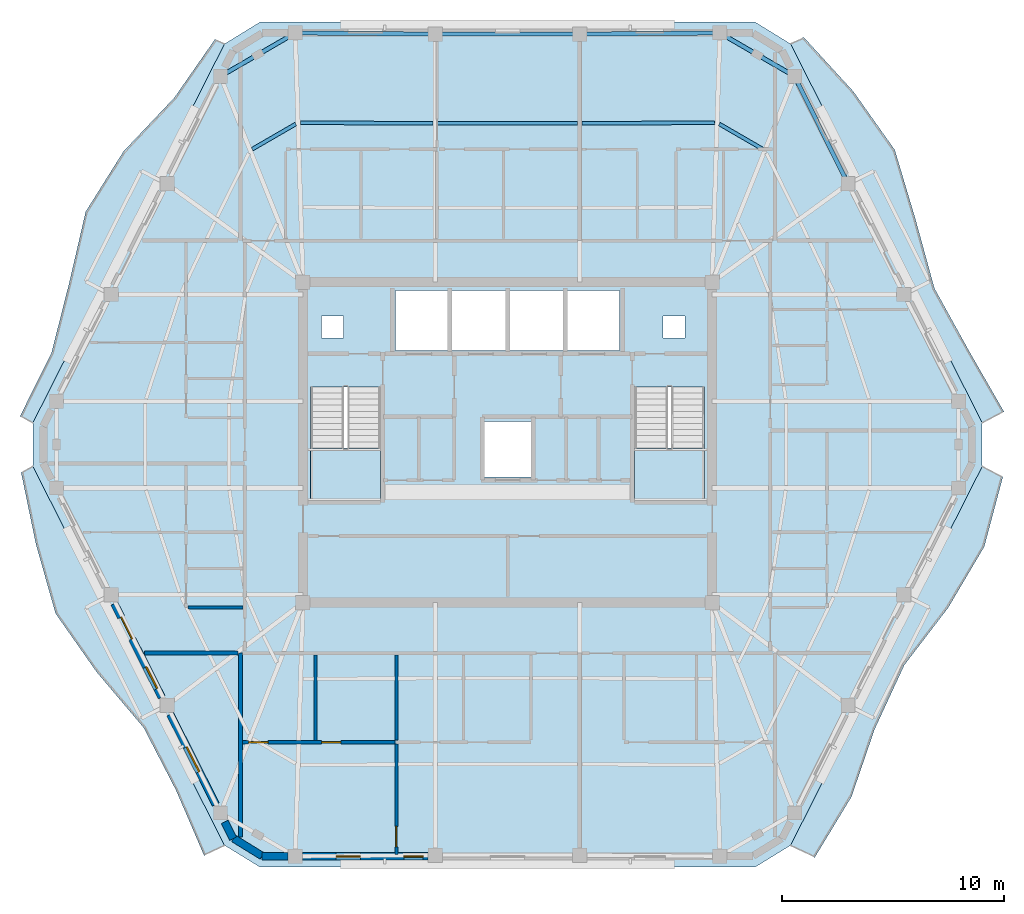
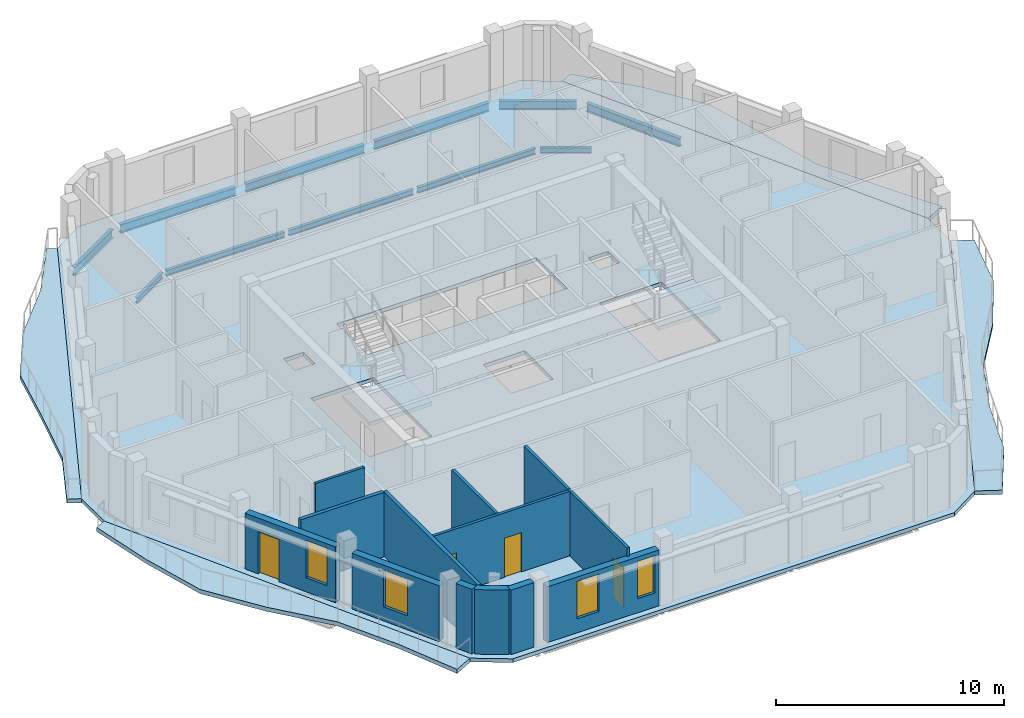
# One storey, part 3 of 11: 13 walls, 11 beams, 7 slabs, 4 doors, 4 windows, 8 openings, 2 elements without a shape of their own.
"""IFC4 building model written with IfcOpenShell, lengths in metres."""

from ifc_helpers import new_model, si_unit, direction, frame, frame_2d, origin, origin_2d, place, context, subcontext, project, spatial, polyline, rectangle, i_section, outline, extrude, material, layer, layer_set, material_profile, profile_set, type_object, element, fill, aggregate, save


model = new_model("IFC4")

# Units and contexts
model_context = context("Model", 3, precision=1e-05, world=origin(), true_north=direction((0.0, 1.0)))
body_context = subcontext(model_context, "Body", "Model", "MODEL_VIEW")
ifc_project = project(units=[si_unit("LENGTHUNIT", "METRE"), si_unit("AREAUNIT", "SQUARE_METRE"), si_unit("VOLUMEUNIT", "CUBIC_METRE"), si_unit("PLANEANGLEUNIT", "RADIAN"), si_unit("MASSUNIT", "GRAM", prefix="KILO")], contexts=[model_context])

# Site, building, storey
site_placement = place(None, origin())
site = spatial("IfcSite", under=ifc_project, at=site_placement, CompositionType="ELEMENT")
building_placement = place(site_placement, origin())
building = spatial("IfcBuilding", under=site, at=building_placement, Name="Cinnabar Lancet Tower", CompositionType="ELEMENT")
storey_placement = place(building_placement, frame((0.0, 0.0, 259.85009765625)))
storey = spatial("IfcBuildingStorey", under=building, at=storey_placement, Name="L69", CompositionType="ELEMENT", Elevation=259.85009765625)

# Beams
ifc_material_1 = material(Name="Structural steel S355", Category="steel")
ifc_material_profile_1 = material_profile(ifc_material_1, i_section(OverallWidth=0.1650390625, OverallDepth=0.303466796875, WebThickness=0.006103515625, FlangeThickness=0.01025390625, FilletRadius=0.0087890625, at=origin_2d()), Name="UKB 305x165x40")
ifc_profile_set_1 = profile_set([ifc_material_profile_1], Name="Structural steel S355")
beam_type_1 = type_object("IfcBeamType", Name="STR-BM-JST-305", PredefinedType="JOIST", material=ifc_profile_set_1)
beam_1_placement = place(storey_placement, frame((43.912109375, 39.1201171875, -0.35205078125), z_axis=(-0.865426285481, 0.501036270542, 0.0), x_axis=(-0.501036270542, -0.865426285481, 0.0)))
element("IfcBeam", 1, at=beam_1_placement, inside=storey, type_object=beam_type_1, Name="L69 Secondary Floor Joist 29", PredefinedType="JOIST", context=body_context, shape_type="SweptSolid", body=[
    extrude(i_section(OverallWidth=0.1650390625, OverallDepth=0.303466796875, WebThickness=0.006103515625, FlangeThickness=0.01025390625, FilletRadius=0.0087890625, at=origin_2d()), origin(), (0.0, 0.0, 1.0), 2.267333984375),
])
beam_2_placement = place(storey_placement, frame((41.741943359375, 40.31494140625, -0.35205078125), z_axis=(-0.999985712428, -0.005345553266, 0.0), x_axis=(0.005345553266, -0.999985712428, 0.0)))
element("IfcBeam", 2, at=beam_2_placement, inside=storey, type_object=beam_type_1, Name="L69 Secondary Floor Joist 30", PredefinedType="JOIST", context=body_context, shape_type="SweptSolid", body=[
    extrude(i_section(OverallWidth=0.1650390625, OverallDepth=0.303466796875, WebThickness=0.006103515625, FlangeThickness=0.01025390625, FilletRadius=0.0087890625, at=origin_2d()), origin(), (0.0, 0.0, 1.0), 5.98291015625),
])
beam_3_placement = place(storey_placement, frame((35.549072265625, 40.281982421875, -0.35205078125), z_axis=(-1.0, 0.0, 0.0), x_axis=(0.0, -1.0, 0.0)))
element("IfcBeam", 3, at=beam_3_placement, inside=storey, type_object=beam_type_1, Name="L69 Secondary Floor Joist 32", PredefinedType="JOIST", context=body_context, shape_type="SweptSolid", body=[
    extrude(i_section(OverallWidth=0.1650390625, OverallDepth=0.303466796875, WebThickness=0.006103515625, FlangeThickness=0.01025390625, FilletRadius=0.0087890625, at=origin_2d()), origin(), (0.0, 0.0, 1.0), 6.298095703125),
])
beam_4_placement = place(storey_placement, frame((29.041015625, 40.282958984375, -0.35205078125), z_axis=(-0.999985712428, 0.005345553266, 0.0), x_axis=(-0.005345553266, -0.999985712428, 0.0)))
element("IfcBeam", 4, at=beam_4_placement, inside=storey, type_object=beam_type_1, Name="L69 Secondary Floor Joist 34", PredefinedType="JOIST", context=body_context, shape_type="SweptSolid", body=[
    extrude(i_section(OverallWidth=0.1650390625, OverallDepth=0.303466796875, WebThickness=0.006103515625, FlangeThickness=0.01025390625, FilletRadius=0.0087890625, at=origin_2d()), origin(), (0.0, 0.0, 1.0), 5.98291015625),
])
beam_5_placement = place(storey_placement, frame((22.85009765625, 40.256103515625, -0.35205078125), z_axis=(-0.865426285481, -0.501036270542, 0.0), x_axis=(0.501036270542, -0.865426285481, 0.0)))
element("IfcBeam", 5, at=beam_5_placement, inside=storey, type_object=beam_type_1, Name="L69 Secondary Floor Joist 36", PredefinedType="JOIST", context=body_context, shape_type="SweptSolid", body=[
    extrude(i_section(OverallWidth=0.1650390625, OverallDepth=0.303466796875, WebThickness=0.006103515625, FlangeThickness=0.01025390625, FilletRadius=0.0087890625, at=origin_2d()), origin(), (0.0, 0.0, 1.0), 2.267333984375),
])
ifc_material_2 = material(Name="Structural steel S355", Category="steel")
ifc_material_profile_2 = material_profile(ifc_material_2, i_section(OverallWidth=0.1904296875, OverallDepth=0.45703125, WebThickness=0.009033203125, FlangeThickness=0.014404296875, FilletRadius=0.01025390625, at=origin_2d()), Name="UKB 457x191x74")
ifc_profile_set_2 = profile_set([ifc_material_profile_2], Name="Structural steel S355")
beam_type_2 = type_object("IfcBeamType", Name="STR-BM-SPN-457", PredefinedType="SPANDREL", material=ifc_profile_set_2)
beam_6_placement = place(storey_placement, frame((47.637939453125, 37.778076171875, -0.42919921875), z_axis=(-0.444372599207, 0.895842058107, 0.0), x_axis=(-0.895842058107, -0.444372599207, 0.0)))
element("IfcBeam", 6, at=beam_6_placement, inside=storey, type_object=beam_type_2, Name="L69 Perimeter Spandrel 11", PredefinedType="SPANDREL", context=body_context, shape_type="SweptSolid", body=[
    extrude(i_section(OverallWidth=0.1904296875, OverallDepth=0.45703125, WebThickness=0.009033203125, FlangeThickness=0.014404296875, FilletRadius=0.01025390625, at=origin_2d()), origin(), (0.0, 0.0, 1.0), 4.91943359375),
])
beam_7_placement = place(storey_placement, frame((45.125, 42.533935546875, -0.42919921875), z_axis=(-0.865199693264, 0.501427453153, 0.0), x_axis=(-0.501427453153, -0.865199693264, 0.0)))
element("IfcBeam", 7, at=beam_7_placement, inside=storey, type_object=beam_type_2, Name="L69 Perimeter Spandrel 12", PredefinedType="SPANDREL", context=body_context, shape_type="SweptSolid", body=[
    extrude(i_section(OverallWidth=0.1904296875, OverallDepth=0.45703125, WebThickness=0.009033203125, FlangeThickness=0.014404296875, FilletRadius=0.01025390625, at=origin_2d()), origin(), (0.0, 0.0, 1.0), 3.39453125),
])
beam_8_placement = place(storey_placement, frame((41.721923828125, 44.35888671875, -0.42919921875), z_axis=(-0.999964782464, -0.008392486634, 0.0), x_axis=(0.008392486634, -0.999964782464, 0.0)))
element("IfcBeam", 8, at=beam_8_placement, inside=storey, type_object=beam_type_2, Name="L69 Perimeter Spandrel 13", PredefinedType="SPANDREL", context=body_context, shape_type="SweptSolid", body=[
    extrude(i_section(OverallWidth=0.1904296875, OverallDepth=0.45703125, WebThickness=0.009033203125, FlangeThickness=0.014404296875, FilletRadius=0.01025390625, at=origin_2d()), origin(), (0.0, 0.0, 1.0), 5.818115234375),
])
beam_9_placement = place(storey_placement, frame((35.404052734375, 44.30810546875, -0.42919921875), z_axis=(-1.0, 0.0, 0.0), x_axis=(0.0, -1.0, 0.0)))
element("IfcBeam", 9, at=beam_9_placement, inside=storey, type_object=beam_type_2, Name="L69 Perimeter Spandrel 14", PredefinedType="SPANDREL", context=body_context, shape_type="SweptSolid", body=[
    extrude(i_section(OverallWidth=0.1904296875, OverallDepth=0.45703125, WebThickness=0.009033203125, FlangeThickness=0.014404296875, FilletRadius=0.01025390625, at=origin_2d()), origin(), (0.0, 0.0, 1.0), 6.008056640625),
])
beam_10_placement = place(storey_placement, frame((28.89599609375, 44.31005859375, -0.42919921875), z_axis=(-0.999964785419, 0.008392134492, 0.0), x_axis=(-0.008392134492, -0.999964785419, 0.0)))
element("IfcBeam", 10, at=beam_10_placement, inside=storey, type_object=beam_type_2, Name="L69 Perimeter Spandrel 15", PredefinedType="SPANDREL", context=body_context, shape_type="SweptSolid", body=[
    extrude(i_section(OverallWidth=0.1904296875, OverallDepth=0.45703125, WebThickness=0.009033203125, FlangeThickness=0.014404296875, FilletRadius=0.01025390625, at=origin_2d()), origin(), (0.0, 0.0, 1.0), 5.818359375),
])
beam_11_placement = place(storey_placement, frame((22.612060546875, 44.236083984375, -0.42919921875), z_axis=(-0.865199693264, -0.501427453153, 0.0), x_axis=(0.501427453153, -0.865199693264, 0.0)))
element("IfcBeam", 11, at=beam_11_placement, inside=storey, type_object=beam_type_2, Name="L69 Perimeter Spandrel 16", PredefinedType="SPANDREL", context=body_context, shape_type="SweptSolid", body=[
    extrude(i_section(OverallWidth=0.1904296875, OverallDepth=0.45703125, WebThickness=0.009033203125, FlangeThickness=0.014404296875, FilletRadius=0.01025390625, at=origin_2d()), origin(), (0.0, 0.0, 1.0), 3.39453125),
])

# Stair, slab
ifc_material_3 = material(Name="Concrete C40/50", Category="concrete")
stair_type = type_object("IfcStairType", Name="ST-CORE", PredefinedType="HALF_TURN_STAIR", material=ifc_material_3)
stair_1_placement = place(storey_placement, origin())
stair_1 = element("IfcStair", 12, at=stair_1_placement, inside=storey, type_object=stair_type, Name="L69 ST-1", PredefinedType="HALF_TURN_STAIR")
ifc_material_4 = material(Name="Concrete C40/50", Category="concrete")
ifc_layer_1 = layer(ifc_material_4, 0.199951171875)
ifc_layer_set_1 = layer_set([ifc_layer_1], Name="Concrete C40/50")
slab_type_1 = type_object("IfcSlabType", Name="LANDING-CORE", PredefinedType="LANDING", material=ifc_layer_set_1)
slab_1_placement = place(storey_placement, frame((0.0, 0.0, 1.625)))
slab_1 = element("IfcSlab", 13, at=slab_1_placement, type_object=slab_type_1, Name="ST-1 landing 1", PredefinedType="LANDING", context=body_context, shape_type="SweptSolid", body=[
    extrude(outline(polyline([(23.52490234375, 25.64990234375), (23.52490234375, 23.25), (26.675048828125, 23.25), (26.675048828125, 25.64990234375), (23.52490234375, 25.64990234375)])), origin(), (0.0, 0.0, 1.0), 0.199951171875),
])
aggregate(stair_1, [slab_1])

stair_2_placement = place(storey_placement, origin())
stair_2 = element("IfcStair", 14, at=stair_2_placement, inside=storey, type_object=stair_type, Name="L69 ST-2", PredefinedType="HALF_TURN_STAIR")
slab_2_placement = place(storey_placement, frame((0.0, 0.0, 1.625)))
slab_2 = element("IfcSlab", 15, at=slab_2_placement, type_object=slab_type_1, Name="ST-2 landing 1", PredefinedType="LANDING", context=body_context, shape_type="SweptSolid", body=[
    extrude(outline(polyline([(38.125, 25.64990234375), (38.125, 23.25), (41.27490234375, 23.25), (41.27490234375, 25.64990234375), (38.125, 25.64990234375)])), origin(), (0.0, 0.0, 1.0), 0.199951171875),
])
aggregate(stair_2, [slab_2])

# Slabs
ifc_material_5 = material(Name="Concrete C40/50", Category="concrete")
ifc_layer_2 = layer(ifc_material_5, 0.199951171875)
ifc_layer_set_2 = layer_set([ifc_layer_2], Name="Concrete C40/50")
slab_type_2 = type_object("IfcSlabType", Name="STR-SLB-FLR-200", PredefinedType="FLOOR", material=ifc_layer_set_2)
slab_3_placement = place(storey_placement, frame((0.0, 0.0, -0.2001953125)))
element("IfcSlab", 16, at=slab_3_placement, inside=storey, type_object=slab_type_2, Name="L69 Structural Floor Slab", PredefinedType="FLOOR", context=body_context, shape_type="SweptSolid", body=[
    extrude(outline(polyline([(19.638916015625, 7.73193359375), (21.236083984375, 6.75), (43.56396484375, 6.75), (45.160888671875, 7.73193359375), (53.802978515625, 24.818115234375), (53.802978515625, 26.781982421875), (45.160888671875, 43.867919921875), (43.56396484375, 44.85009765625), (21.236083984375, 44.85009765625), (19.638916015625, 43.867919921875), (10.9970703125, 26.781982421875), (10.9970703125, 24.818115234375), (19.638916015625, 7.73193359375)]), holes=[polyline([(23.52490234375, 23.25), (26.675048828125, 23.25), (26.675048828125, 28.3994140625), (23.52490234375, 28.3994140625), (23.52490234375, 23.25)]), polyline([(38.125, 23.25), (41.27490234375, 23.25), (41.27490234375, 28.3994140625), (38.125, 28.3994140625), (38.125, 23.25)]), polyline([(27.35009765625, 30.050048828125), (37.449951171875, 30.050048828125), (37.449951171875, 32.75), (27.35009765625, 32.75), (27.35009765625, 30.050048828125)]), polyline([(31.35009765625, 24.35009765625), (33.449951171875, 24.35009765625), (33.449951171875, 26.85009765625), (31.35009765625, 26.85009765625), (31.35009765625, 24.35009765625)]), polyline([(24.0, 30.60009765625), (25.0, 30.60009765625), (25.0, 31.60009765625), (24.0, 31.60009765625), (24.0, 30.60009765625)]), polyline([(39.39990234375, 30.60009765625), (40.39990234375, 30.60009765625), (40.39990234375, 31.60009765625), (39.39990234375, 31.60009765625), (39.39990234375, 30.60009765625)])]), origin(), (0.0, 0.0, 1.0), 0.2001953125),
])
ifc_material_6 = material(Name="Concrete C45/55", Category="concrete")
ifc_layer_3 = layer(ifc_material_6, 0.219970703125)
ifc_layer_set_3 = layer_set([ifc_layer_3], Name="Concrete C45/55")
slab_type_3 = type_object("IfcSlabType", Name="STR-SLB-WAV-220", PredefinedType="FLOOR", material=ifc_layer_set_3)
slab_4_placement = place(storey_placement, frame((0.0, 0.0, -0.22021484375)))
element("IfcSlab", 17, at=slab_4_placement, inside=storey, type_object=slab_type_3, Name="L69 Face 2 Undulating Wave Balcony Slab", PredefinedType="FLOOR", context=body_context, shape_type="SweptSolid", body=[
    extrude(outline(polyline([(45.160888671875, 7.73193359375), (46.2470703125, 7.18310546875), (47.905029296875, 9.919921875), (48.948974609375, 12.968994140625), (50.291015625, 15.865966796875), (52.264892578125, 18.444091796875), (53.89111328125, 21.197021484375), (54.73291015625, 24.346923828125), (53.802978515625, 24.818115234375), (45.160888671875, 7.73193359375)])), origin(), (0.0, 0.0, 1.0), 0.22021484375),
])
slab_5_placement = place(storey_placement, frame((0.0, 0.0, -0.22021484375)))
element("IfcSlab", 18, at=slab_5_placement, inside=storey, type_object=slab_type_3, Name="L69 Face 3 Undulating Wave Balcony Slab", PredefinedType="FLOOR", context=body_context, shape_type="SweptSolid", body=[
    extrude(outline(polyline([(53.802978515625, 26.781982421875), (54.783935546875, 27.278076171875), (53.18994140625, 30.048095703125), (51.64697265625, 32.843994140625), (50.784912109375, 35.98388671875), (49.85595703125, 39.091064453125), (47.989990234375, 41.722900390625), (45.7529296875, 44.16796875), (45.160888671875, 43.867919921875), (53.802978515625, 26.781982421875)])), origin(), (0.0, 0.0, 1.0), 0.22021484375),
])
slab_6_placement = place(storey_placement, frame((0.0, 0.0, -0.22021484375)))
element("IfcSlab", 19, at=slab_6_placement, inside=storey, type_object=slab_type_3, Name="L69 Face 5 Undulating Wave Balcony Slab", PredefinedType="FLOOR", context=body_context, shape_type="SweptSolid", body=[
    extrude(outline(polyline([(19.638916015625, 43.867919921875), (19.214111328125, 44.0830078125), (17.3740234375, 41.43701171875), (15.0849609375, 39.01904296875), (13.381103515625, 36.304931640625), (12.639892578125, 33.10302734375), (11.8369140625, 29.93310546875), (10.4169921875, 27.074951171875), (10.9970703125, 26.781982421875), (19.638916015625, 43.867919921875)])), origin(), (0.0, 0.0, 1.0), 0.22021484375),
])
slab_7_placement = place(storey_placement, frame((0.0, 0.0, -0.22021484375)))
element("IfcSlab", 20, at=slab_7_placement, inside=storey, type_object=slab_type_3, Name="L69 Face 6 Undulating Wave Balcony Slab", PredefinedType="FLOOR", context=body_context, shape_type="SweptSolid", body=[
    extrude(outline(polyline([(10.9970703125, 24.818115234375), (10.468017578125, 24.550048828125), (11.135986328125, 21.31201171875), (12.02197265625, 18.18408203125), (13.8740234375, 15.544921875), (15.991943359375, 13.0400390625), (17.458984375, 10.2060546875), (18.720947265625, 7.26806640625), (19.638916015625, 7.73193359375), (10.9970703125, 24.818115234375)])), origin(), (0.0, 0.0, 1.0), 0.22021484375),
])

# Walls
ifc_material_7 = material(Name="Fire-rated twin-frame acoustic drywall", Category="gypsum")
ifc_layer_4 = layer(ifc_material_7, 0.179931640625)
ifc_layer_set_4 = layer_set([ifc_layer_4], Name="Fire-rated twin-frame acoustic drywall")
wall_type_1 = type_object("IfcWallType", Name="ARC-WL-PARTY-180", PredefinedType="PARTITIONING", material=ifc_layer_set_4)
wall_1_placement = place(storey_placement, frame((20.35009765625, 8.118896484375, 0.0), z_axis=(0.0, 0.0, 1.0), x_axis=(0.0, 1.0, 0.0)))
element("IfcWall", 21, at=wall_1_placement, inside=storey, type_object=wall_type_1, Name="PW-L69-SPTY-204", PredefinedType="PARTITIONING", context=body_context, shape_type="SweptSolid", body=[
    extrude(rectangle(XDim=8.281005859375, YDim=0.179931640625, at=frame_2d((4.140625, 0.0))), origin(), (0.0, 0.0, 1.0), 3.449951171875),
])
wall_2_placement = place(storey_placement, frame((16.033935546875, 16.39990234375, 0.0), z_axis=(0.0, 0.0, 1.0), x_axis=(1.0, 0.0, 0.0)))
element("IfcWall", 22, at=wall_2_placement, inside=storey, type_object=wall_type_1, Name="PW-L69-WSB", PredefinedType="PARTITIONING", context=body_context, shape_type="SweptSolid", body=[
    extrude(rectangle(XDim=4.220947265625, YDim=0.179931640625, at=frame_2d((2.1103515625, 0.0))), origin(), (0.0, 0.0, 1.0), 3.449951171875),
])

# Wall, opening, door
ifc_material_8 = material(Name="Gypsum plasterboard stud partition", Category="gypsum")
ifc_layer_5 = layer(ifc_material_8, 0.125)
ifc_layer_set_5 = layer_set([ifc_layer_5], Name="Gypsum plasterboard stud partition")
wall_type_2 = type_object("IfcWallType", Name="ARC-WL-UNIT-125", PredefinedType="PARTITIONING", material=ifc_layer_set_5)
wall_3_placement = place(storey_placement, frame((27.389892578125, 7.31494140625, 0.0), z_axis=(0.0, 0.0, 1.0), x_axis=(0.0, 1.0, 0.0)))
wall_3 = element("IfcWall", 23, at=wall_3_placement, inside=storey, type_object=wall_type_2, Name="UW-L69-S01-MBW", PredefinedType="PARTITIONING", context=body_context, shape_type="SweptSolid", body=[
    extrude(rectangle(XDim=4.990966796875, YDim=0.125, at=frame_2d((2.49560546875, 0.0))), origin(), (0.0, 0.0, 1.0), 3.449951171875),
])
opening_1_placement = place(wall_3_placement, frame((0.35009765625, 0.0, 0.0)))
opening_1 = element("IfcOpeningElement", 24, at=opening_1_placement, cuts=wall_3, Name="Opening RD-01", PredefinedType="OPENING", context=body_context, shape_type="SweptSolid", body=[
    extrude(rectangle(XDim=0.919921875, YDim=2.14990234375, at=frame_2d((0.4599609375, 1.074951171875))), frame((0.0, 0.072509765625, 0.0), z_axis=(0.0, -1.0, 0.0), x_axis=(1.0, 0.0, 0.0)), (0.0, 0.0, 1.0), 0.14501953125),
])
ifc_material_9 = material(Name="Engineered timber bedroom door", Category="wood")
door_type_1 = type_object("IfcDoorType", Name="ARC-DR-ROOM", OperationType="NOTDEFINED", PredefinedType="DOOR", material=ifc_material_9)
door_1_placement = place(opening_1_placement, origin())
door_1 = element("IfcDoor", 25, at=door_1_placement, inside=storey, type_object=door_type_1, Name="DR-L69-S01-MBD", OperationType="SINGLE_SWING_LEFT", OverallHeight=2.14990234375, OverallWidth=0.919921875, PredefinedType="DOOR", context=body_context, shape_type="SweptSolid", body=[
    extrude(rectangle(XDim=0.919921875, YDim=2.14990234375, at=frame_2d((0.4599609375, 1.074951171875))), frame((0.0, 0.02490234375, 0.0), z_axis=(0.0, -1.0, 0.0), x_axis=(1.0, 0.0, 0.0)), (0.0, 0.0, 1.0), 0.050048828125),
])
fill(opening_1, door_1)

# Wall
wall_4_placement = place(storey_placement, frame((17.985107421875, 18.449951171875, 0.0), z_axis=(0.0, 0.0, 1.0), x_axis=(1.0, 0.0, 0.0)))
element("IfcWall", 26, at=wall_4_placement, inside=storey, type_object=wall_type_2, Name="UW-L69-W01-FOYN", PredefinedType="PARTITIONING", context=body_context, shape_type="SweptSolid", body=[
    extrude(rectangle(XDim=2.47998046875, YDim=0.125, at=frame_2d((1.239990234375, 0.0))), origin(), (0.0, 0.0, 1.0), 3.449951171875),
])

# Wall, openings, doors
ifc_material_10 = material(Name="Moisture-resistant cement-board plumbing wall", Category="masonry")
ifc_layer_6 = layer(ifc_material_10, 0.139892578125)
ifc_layer_set_6 = layer_set([ifc_layer_6], Name="Moisture-resistant cement-board plumbing wall")
wall_type_3 = type_object("IfcWallType", Name="ARC-WL-WET-140", PredefinedType="PLUMBINGWALL", material=ifc_layer_set_6)
wall_5_placement = place(storey_placement, frame((20.445068359375, 12.381103515625, 0.0), z_axis=(0.0, 0.0, 1.0), x_axis=(1.0, 0.0, 0.0)))
wall_5 = element("IfcWall", 27, at=wall_5_placement, inside=storey, type_object=wall_type_3, Name="UW-L69-S01-SPM", PredefinedType="PLUMBINGWALL", context=body_context, shape_type="SweptSolid", body=[
    extrude(rectangle(XDim=6.869873046875, YDim=0.139892578125, at=frame_2d((3.43505859375, 0.0))), origin(), (0.0, 0.0, 1.0), 3.449951171875),
])
opening_2_placement = place(wall_5_placement, frame((0.280029296875, 0.0, 0.0)))
opening_2 = element("IfcOpeningElement", 28, at=opening_2_placement, cuts=wall_5, Name="Opening RD-02", PredefinedType="OPENING", context=body_context, shape_type="SweptSolid", body=[
    extrude(rectangle(XDim=0.8798828125, YDim=2.14990234375, at=frame_2d((0.43994140625, 1.074951171875))), frame((0.0, 0.079833984375, 0.0), z_axis=(0.0, -1.0, 0.0), x_axis=(1.0, 0.0, 0.0)), (0.0, 0.0, 1.0), 0.159912109375),
])
opening_3_placement = place(wall_5_placement, frame((3.573974609375, 0.0, 0.0)))
opening_3 = element("IfcOpeningElement", 29, at=opening_3_placement, cuts=wall_5, Name="Opening BD-01", PredefinedType="OPENING", context=body_context, shape_type="SweptSolid", body=[
    extrude(rectangle(XDim=0.860107421875, YDim=2.10009765625, at=frame_2d((0.43017578125, 1.050048828125))), frame((0.0, 0.079833984375, 0.0), z_axis=(0.0, -1.0, 0.0), x_axis=(1.0, 0.0, 0.0)), (0.0, 0.0, 1.0), 0.159912109375),
])
ifc_material_11 = material(Name="Moisture-resistant timber bathroom door", Category="wood")
door_type_2 = type_object("IfcDoorType", Name="ARC-DR-BATH", OperationType="NOTDEFINED", PredefinedType="DOOR", material=ifc_material_11)
door_2_placement = place(opening_3_placement, origin())
door_2 = element("IfcDoor", 30, at=door_2_placement, inside=storey, type_object=door_type_2, Name="DR-L69-S01-ENS", OperationType="SINGLE_SWING_LEFT", OverallHeight=2.10009765625, OverallWidth=0.860107421875, PredefinedType="DOOR", context=body_context, shape_type="SweptSolid", body=[
    extrude(rectangle(XDim=0.860107421875, YDim=2.10009765625, at=frame_2d((0.43017578125, 1.050048828125))), frame((0.0, 0.02490234375, 0.0), z_axis=(0.0, -1.0, 0.0), x_axis=(1.0, 0.0, 0.0)), (0.0, 0.0, 1.0), 0.050048828125),
])
fill(opening_3, door_2)
ifc_material_12 = material(Name="Engineered timber study door", Category="wood")
door_type_3 = type_object("IfcDoorType", Name="ARC-DR-STUDY", OperationType="NOTDEFINED", PredefinedType="DOOR", material=ifc_material_12)
door_3_placement = place(opening_2_placement, origin())
door_3 = element("IfcDoor", 31, at=door_3_placement, inside=storey, type_object=door_type_3, Name="DR-L69-S01-ENS-WDR", OperationType="SINGLE_SWING_RIGHT", OverallHeight=2.14990234375, OverallWidth=0.8798828125, PredefinedType="DOOR", context=body_context, shape_type="SweptSolid", body=[
    extrude(rectangle(XDim=0.8798828125, YDim=2.14990234375, at=frame_2d((0.43994140625, 1.074951171875))), frame((0.0, 0.02490234375, 0.0), z_axis=(0.0, -1.0, 0.0), x_axis=(1.0, 0.0, 0.0)), (0.0, 0.0, 1.0), 0.050048828125),
])
fill(opening_2, door_3)

# Walls
wall_6_placement = place(storey_placement, frame((27.389892578125, 12.486083984375, 0.0), z_axis=(0.0, 0.0, 1.0), x_axis=(0.0, 1.0, 0.0)))
element("IfcWall", 32, at=wall_6_placement, inside=storey, type_object=wall_type_3, Name="UW-L69-S01-ENSW", PredefinedType="PLUMBINGWALL", context=body_context, shape_type="SweptSolid", body=[
    extrude(rectangle(XDim=3.828857421875, YDim=0.139892578125, at=frame_2d((1.91455078125, 0.0))), origin(), (0.0, 0.0, 1.0), 3.449951171875),
])
wall_7_placement = place(storey_placement, frame((23.739013671875, 12.466064453125, 0.0), z_axis=(0.0, 0.0, 1.0), x_axis=(0.0, 1.0, 0.0)))
element("IfcWall", 33, at=wall_7_placement, inside=storey, type_object=wall_type_3, Name="UW-L69-S01-ENS-WDV", PredefinedType="PLUMBINGWALL", context=body_context, shape_type="SweptSolid", body=[
    extrude(rectangle(XDim=3.848876953125, YDim=0.139892578125, at=frame_2d((1.92431640625, 0.0))), origin(), (0.0, 0.0, 1.0), 3.449951171875),
])
ifc_material_13 = material(Name="Cinnabar red clay brick", Category="masonry")
ifc_layer_7 = layer(ifc_material_13, 0.340087890625)
ifc_layer_set_7 = layer_set([ifc_layer_7], Name="Cinnabar red clay brick")
wall_type_4 = type_object("IfcWallType", Name="ENV-WL-BRK-RED-340", PredefinedType="STANDARD", material=ifc_layer_set_7)
wall_8_placement = place(storey_placement, frame((20.047119140625, 8.044921875, 0.0), z_axis=(0.0, 0.0, 1.0), x_axis=(0.851680557619, -0.52406128246, 0.0)))
element("IfcWall", 34, at=wall_8_placement, inside=storey, type_object=wall_type_4, Name="L69 Chamfered Corner Brick Pier 1.1", PredefinedType="STANDARD", context=body_context, shape_type="SweptSolid", body=[
    extrude(rectangle(XDim=1.507568359375, YDim=0.340087890625, at=frame_2d((0.75390625, 0.0))), origin(), (0.0, 0.0, 1.0), 3.449951171875),
])
wall_9_placement = place(storey_placement, frame((21.325927734375, 7.22998046875, 0.0), z_axis=(0.0, 0.0, 1.0), x_axis=(1.0, 0.0, 0.0)))
element("IfcWall", 35, at=wall_9_placement, inside=storey, type_object=wall_type_4, Name="L69 Face 1 Masonry Bay Wall 1", PredefinedType="STANDARD", context=body_context, shape_type="SweptSolid", body=[
    extrude(rectangle(XDim=1.173095703125, YDim=0.340087890625, at=frame_2d((0.58642578125, 0.0))), origin(), (0.0, 0.0, 1.0), 3.449951171875),
])

# Wall, openings, windows
wall_10_placement = place(storey_placement, frame((23.156982421875, 7.22998046875, 0.0), z_axis=(0.0, 0.0, 1.0), x_axis=(1.0, 0.0, 0.0)))
wall_10 = element("IfcWall", 36, at=wall_10_placement, inside=storey, type_object=wall_type_4, Name="L69 Face 1 Masonry Bay Wall 2", PredefinedType="STANDARD", context=body_context, shape_type="SweptSolid", body=[
    extrude(rectangle(XDim=5.659912109375, YDim=0.340087890625, at=frame_2d((2.830078125, 0.0))), origin(), (0.0, 0.0, 1.0), 2.98291015625),
])
opening_4_placement = place(wall_10_placement, frame((1.510009765625, 0.0, 0.75)))
opening_4 = element("IfcOpeningElement", 37, at=opening_4_placement, cuts=wall_10, Name="Opening WN-04", PredefinedType="OPENING", context=body_context, shape_type="SweptSolid", body=[
    extrude(rectangle(XDim=1.10009765625, YDim=2.0, at=frame_2d((0.550048828125, 1.0))), frame((0.0, 0.179931640625, 0.0), z_axis=(0.0, -1.0, 0.0), x_axis=(1.0, 0.0, 0.0)), (0.0, 0.0, 1.0), 0.360107421875),
])
opening_5_placement = place(wall_10_placement, frame((4.56591796875, 0.0, 0.75)))
opening_5 = element("IfcOpeningElement", 38, at=opening_5_placement, cuts=wall_10, Name="Opening WN-04", PredefinedType="OPENING", context=body_context, shape_type="SweptSolid", body=[
    extrude(rectangle(XDim=0.8740234375, YDim=2.0, at=frame_2d((0.43701171875, 1.0))), frame((0.0, 0.179931640625, 0.0), z_axis=(0.0, -1.0, 0.0), x_axis=(1.0, 0.0, 0.0)), (0.0, 0.0, 1.0), 0.360107421875),
])
ifc_material_14 = material(Name="Thermally broken bronze-anodized aluminium tall lancet window", Category="aluminium")
window_type_1 = type_object("IfcWindowType", Name="ENV-WN-LANCET-1100", PartitioningType="SINGLE_PANEL", PredefinedType="WINDOW", material=ifc_material_14)
window_1_placement = place(opening_4_placement, origin())
window_1 = element("IfcWindow", 39, at=window_1_placement, inside=storey, type_object=window_type_1, Name="L69 Face 1 Gothic Lancet Window 2", OverallHeight=2.0, OverallWidth=1.10009765625, PartitioningType="SINGLE_PANEL", PredefinedType="WINDOW", context=body_context, shape_type="SweptSolid", body=[
    extrude(rectangle(XDim=1.10009765625, YDim=2.0, at=frame_2d((0.550048828125, 1.0))), frame((0.0, 0.030029296875, 0.0), z_axis=(0.0, -1.0, 0.0), x_axis=(1.0, 0.0, 0.0)), (0.0, 0.0, 1.0), 0.06005859375),
])
fill(opening_4, window_1)
window_2_placement = place(opening_5_placement, origin())
window_2 = element("IfcWindow", 40, at=window_2_placement, inside=storey, type_object=window_type_1, Name="L69 Split-Bay Gothic Lancet Window 250", OverallHeight=2.0, OverallWidth=0.8740234375, PartitioningType="SINGLE_PANEL", PredefinedType="WINDOW", context=body_context, shape_type="SweptSolid", body=[
    extrude(rectangle(XDim=0.8740234375, YDim=2.0, at=frame_2d((0.43701171875, 1.0))), frame((0.0, 0.030029296875, 0.0), z_axis=(0.0, -1.0, 0.0), x_axis=(1.0, 0.0, 0.0)), (0.0, 0.0, 1.0), 0.06005859375),
])
fill(opening_5, window_2)

# Wall, openings, door, window
wall_11_placement = place(storey_placement, frame((14.666015625, 18.626953125, 0.0), z_axis=(0.0, 0.0, 1.0), x_axis=(0.451468341582, -0.892287137949, 0.0)))
wall_11 = element("IfcWall", 41, at=wall_11_placement, inside=storey, type_object=wall_type_4, Name="L69 Face 6 Masonry Bay Wall 3", PredefinedType="STANDARD", context=body_context, shape_type="SweptSolid", body=[
    extrude(rectangle(XDim=4.72265625, YDim=0.340087890625, at=frame_2d((2.361328125, 0.0))), origin(), (0.0, 0.0, 1.0), 2.98291015625),
])
opening_6_placement = place(wall_11_placement, frame((0.681884765625, 0.0, 0.0)))
opening_6 = element("IfcOpeningElement", 42, at=opening_6_placement, cuts=wall_11, Name="Opening TD-01", PredefinedType="OPENING", context=body_context, shape_type="SweptSolid", body=[
    extrude(rectangle(XDim=1.10009765625, YDim=2.25, at=frame_2d((0.550048828125, 1.125))), frame((0.0, 0.179931640625, 0.0), z_axis=(0.0, -1.0, 0.0), x_axis=(1.0, 0.0, 0.0)), (0.0, 0.0, 1.0), 0.360107421875),
])
opening_7_placement = place(wall_11_placement, frame((3.18896484375, 0.0, 0.75)))
opening_7 = element("IfcOpeningElement", 43, at=opening_7_placement, cuts=wall_11, Name="Opening WN-04", PredefinedType="OPENING", context=body_context, shape_type="SweptSolid", body=[
    extrude(rectangle(XDim=1.10009765625, YDim=2.0, at=frame_2d((0.550048828125, 1.0))), frame((0.0, 0.179931640625, 0.0), z_axis=(0.0, -1.0, 0.0), x_axis=(1.0, 0.0, 0.0)), (0.0, 0.0, 1.0), 0.360107421875),
])
ifc_material_15 = material(Name="Thermally broken low-E glazed balcony terrace door", Category="wood")
door_type_4 = type_object("IfcDoorType", Name="ARC-DR-BALC", OperationType="NOTDEFINED", PredefinedType="DOOR", material=ifc_material_15)
door_4_placement = place(opening_6_placement, origin())
door_4 = element("IfcDoor", 44, at=door_4_placement, inside=storey, type_object=door_type_4, Name="L69 Face 6 Glazed Terrace Door", OperationType="SINGLE_SWING_RIGHT", OverallHeight=2.25, OverallWidth=1.10009765625, PredefinedType="DOOR", context=body_context, shape_type="SweptSolid", body=[
    extrude(rectangle(XDim=1.10009765625, YDim=2.25, at=frame_2d((0.550048828125, 1.125))), frame((0.0, 0.02490234375, 0.0), z_axis=(0.0, -1.0, 0.0), x_axis=(1.0, 0.0, 0.0)), (0.0, 0.0, 1.0), 0.050048828125),
])
fill(opening_6, door_4)
window_3_placement = place(opening_7_placement, origin())
window_3 = element("IfcWindow", 45, at=window_3_placement, inside=storey, type_object=window_type_1, Name="L69 Split-Bay Gothic Lancet Window 257", OverallHeight=2.0, OverallWidth=1.10009765625, PartitioningType="SINGLE_PANEL", PredefinedType="WINDOW", context=body_context, shape_type="SweptSolid", body=[
    extrude(rectangle(XDim=1.10009765625, YDim=2.0, at=frame_2d((0.550048828125, 1.0))), frame((0.0, 0.030029296875, 0.0), z_axis=(0.0, -1.0, 0.0), x_axis=(1.0, 0.0, 0.0)), (0.0, 0.0, 1.0), 0.06005859375),
])
fill(opening_7, window_3)

# Wall, opening, window
wall_12_placement = place(storey_placement, frame((17.18798828125, 13.639892578125, 0.0), z_axis=(0.0, 0.0, 1.0), x_axis=(0.45149770819, -0.892272278791, 0.0)))
wall_12 = element("IfcWall", 46, at=wall_12_placement, inside=storey, type_object=wall_type_4, Name="L69 Face 6 Masonry Bay Wall 4", PredefinedType="STANDARD", context=body_context, shape_type="SweptSolid", body=[
    extrude(rectangle(XDim=4.553466796875, YDim=0.340087890625, at=frame_2d((2.27685546875, 0.0))), origin(), (0.0, 0.0, 1.0), 2.98291015625),
])
opening_8_placement = place(wall_12_placement, frame((1.652099609375, 0.0, 0.75)))
opening_8 = element("IfcOpeningElement", 47, at=opening_8_placement, cuts=wall_12, Name="Opening WN-03", PredefinedType="OPENING", context=body_context, shape_type="SweptSolid", body=[
    extrude(rectangle(XDim=1.25, YDim=1.949951171875, at=frame_2d((0.625, 0.97509765625))), frame((0.0, 0.179931640625, 0.0), z_axis=(0.0, -1.0, 0.0), x_axis=(1.0, 0.0, 0.0)), (0.0, 0.0, 1.0), 0.360107421875),
])
ifc_material_16 = material(Name="Thermally broken bronze-anodized aluminium low-E double glazing", Category="aluminium")
window_type_2 = type_object("IfcWindowType", Name="ENV-WN-LANCET-1250", PartitioningType="SINGLE_PANEL", PredefinedType="WINDOW", material=ifc_material_16)
window_4_placement = place(opening_8_placement, origin())
window_4 = element("IfcWindow", 48, at=window_4_placement, inside=storey, type_object=window_type_2, Name="L69 Face 6 Gothic Lancet Window 4", OverallHeight=1.949951171875, OverallWidth=1.25, PartitioningType="SINGLE_PANEL", PredefinedType="WINDOW", context=body_context, shape_type="SweptSolid", body=[
    extrude(rectangle(XDim=1.25, YDim=1.949951171875, at=frame_2d((0.625, 0.97509765625))), frame((0.0, 0.030029296875, 0.0), z_axis=(0.0, -1.0, 0.0), x_axis=(1.0, 0.0, 0.0)), (0.0, 0.0, 1.0), 0.06005859375),
])
fill(opening_8, window_4)

# Wall
wall_13_placement = place(storey_placement, frame((19.64208984375, 8.7890625, 0.0), z_axis=(0.0, 0.0, 1.0), x_axis=(0.451907025977, -0.8920650424, 0.0)))
element("IfcWall", 49, at=wall_13_placement, inside=storey, type_object=wall_type_4, Name="L69 Face 6 Masonry Bay Wall 5", PredefinedType="STANDARD", context=body_context, shape_type="SweptSolid", body=[
    extrude(rectangle(XDim=0.85205078125, YDim=0.340087890625, at=frame_2d((0.426025390625, 0.0))), origin(), (0.0, 0.0, 1.0), 3.449951171875),
])

save(model, "model.ifc")
